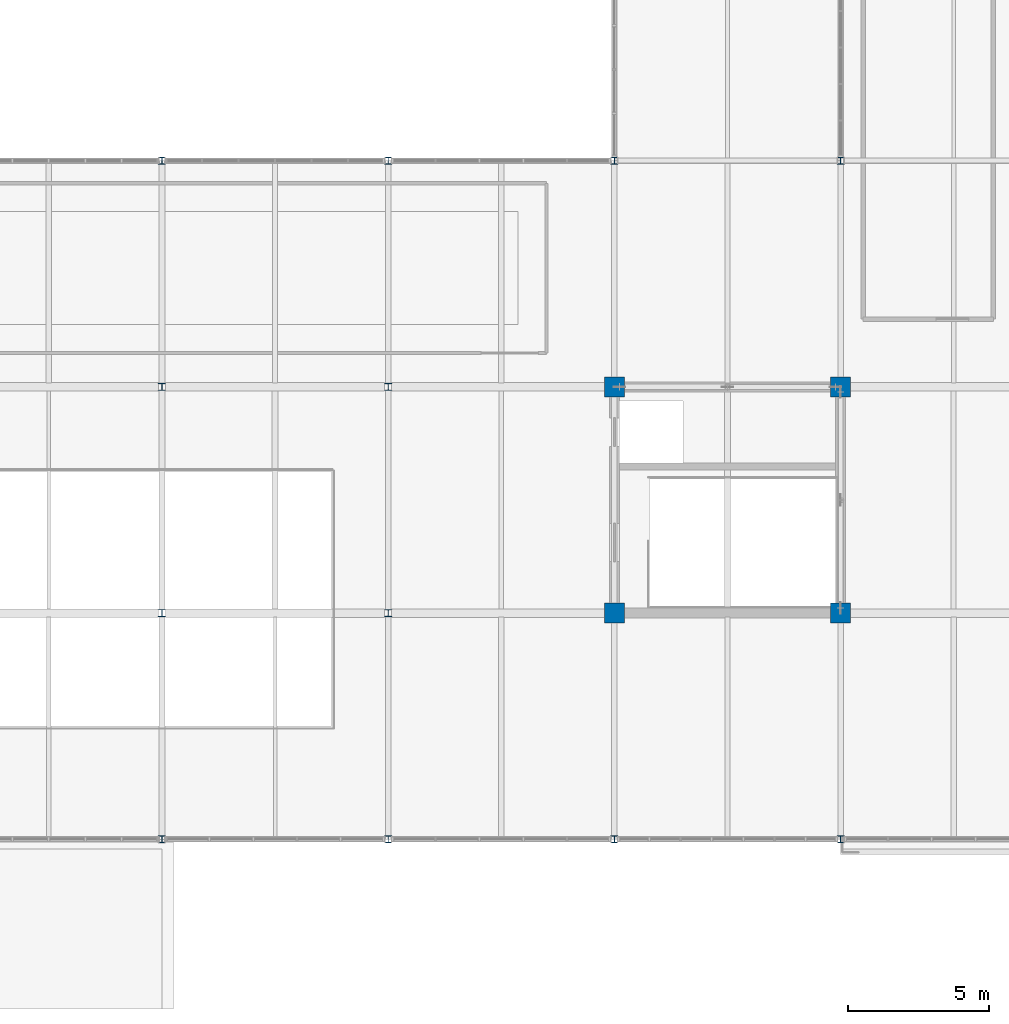
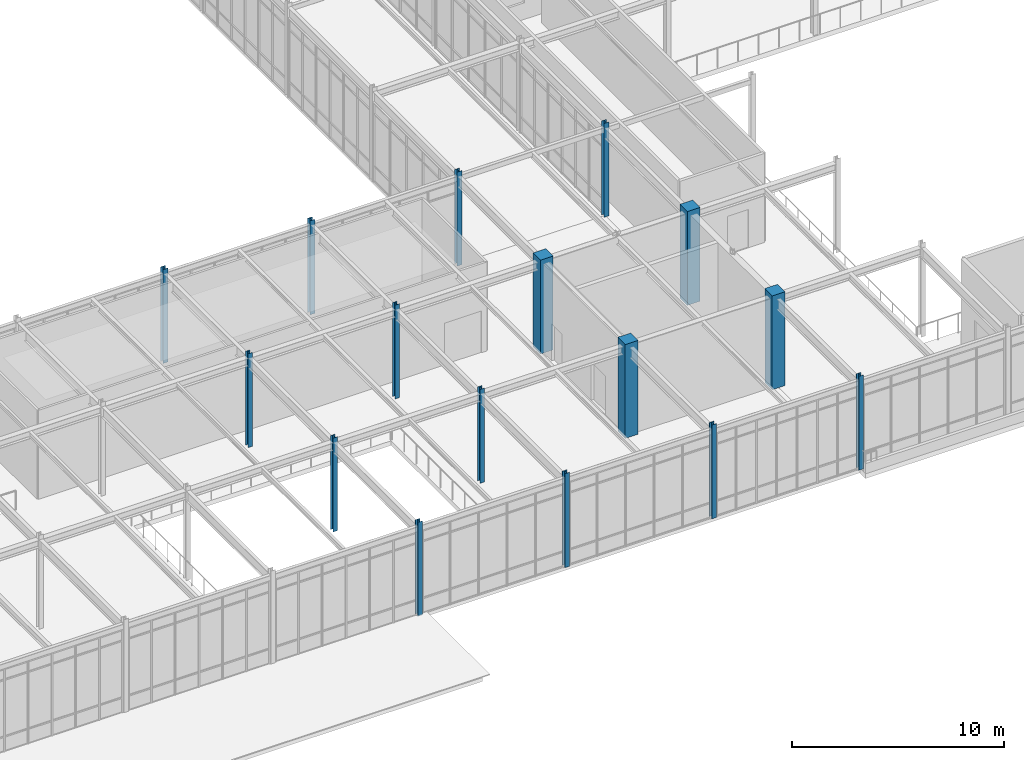
# One storey, part 9 of 184: 16 columns.
"""IFC4 building model written with IfcOpenShell, lengths in metres."""

import ifcopenshell
import ifcopenshell.guid

model = None  # the IFC model being written
_history = None  # IfcOwnerHistory: only IFC2X3 demands one
_inside = {}  # id of a spatial element -> (the spatial element, [elements in it])
_under = {}  # id of a project, library or spatial element -> (it, [spatial elements below it])
_declared = {}  # id of a project -> (the project, [libraries it declares])
_typed = {}  # id of a type object -> (the type object, [elements of that type])
_made_of = {}  # id of a material, layer set ... -> (it, [elements and type objects made of it])


def new_model(schema):
    """Start an empty IFC model of exactly this schema.

    Asked for "IFC4X3", IfcOpenShell would pick the latest addendum, in which some entities
    have other attributes; the version numbers below select the first issue.
    IFC2X3 requires an IfcOwnerHistory on every rooted entity: one is made here for all.
    """
    global model, _history
    if schema == "IFC4X3":
        model = ifcopenshell.file(schema_version=(4, 3, 0, 0))
    else:
        model = ifcopenshell.file(schema=schema)
    _inside.clear()
    _under.clear()
    _declared.clear()
    _typed.clear()
    _made_of.clear()
    _history = None
    if model.schema == "IFC2X3":
        org = make("IfcOrganization", Name="unknown")
        user = make(
            "IfcPersonAndOrganization",
            ThePerson=make("IfcPerson", FamilyName="unknown"),
            TheOrganization=org,
        )
        app = make(
            "IfcApplication",
            ApplicationDeveloper=org,
            Version="unknown",
            ApplicationFullName="unknown",
            ApplicationIdentifier="unknown",
        )
        _history = make(
            "IfcOwnerHistory",
            OwningUser=user,
            OwningApplication=app,
            ChangeAction="ADDED",
            CreationDate=0,
        )
    return model


def make(cls, **values):
    """One entity of the class cls with the attributes given. An attribute that is None is left unset."""
    return model.create_entity(
        cls, **{name: value for name, value in values.items() if value is not None}
    )


def rooted(cls, **values):
    """An entity with a GlobalId (a new one), such as an element, a storey or a relation."""
    return make(cls, GlobalId=ifcopenshell.guid.new(), OwnerHistory=_history, **values)


def si_unit(unit_type, name, prefix=None):
    """IfcSIUnit, for example si_unit("LENGTHUNIT", "METRE", prefix="MILLI")."""
    return make("IfcSIUnit", UnitType=unit_type, Prefix=prefix, Name=name)


def assignment(units):
    """IfcUnitAssignment: the units of a project."""
    return None if units is None else make("IfcUnitAssignment", Units=units)


def point(xyz):
    """IfcCartesianPoint."""
    return None if xyz is None else make("IfcCartesianPoint", Coordinates=xyz)


def direction(xyz):
    """IfcDirection."""
    return None if xyz is None else make("IfcDirection", DirectionRatios=xyz)


def frame(location, z_axis=None, x_axis=None):
    """IfcAxis2Placement3D, a coordinate frame: its origin and axes. An axis left out is left unset."""
    return make(
        "IfcAxis2Placement3D",
        Location=point(location),
        Axis=direction(z_axis),
        RefDirection=direction(x_axis),
    )


def frame_2d(location, x_axis=None):
    """IfcAxis2Placement2D, a coordinate frame in the plane: its origin and x axis."""
    return make(
        "IfcAxis2Placement2D", Location=point(location), RefDirection=direction(x_axis)
    )


def origin():
    """The frame at (0, 0, 0) with its axes left unset."""
    return frame((0.0, 0.0, 0.0))


def origin_2d():
    """The frame at (0, 0) in the plane with its x axis left unset."""
    return frame_2d((0.0, 0.0))


def place(relative_to, where):
    """IfcLocalPlacement: puts the frame where relative to a parent placement (None: the world)."""
    return make(
        "IfcLocalPlacement", PlacementRelTo=relative_to, RelativePlacement=where
    )


def context(
    kind, dimensions, precision=None, world=None, true_north=None, identifier=None
):
    """IfcGeometricRepresentationContext, for example the 3D "Model" context."""
    return make(
        "IfcGeometricRepresentationContext",
        ContextIdentifier=identifier,
        ContextType=kind,
        CoordinateSpaceDimension=dimensions,
        Precision=precision,
        WorldCoordinateSystem=world,
        TrueNorth=true_north,
    )


def subcontext(parent, identifier, kind, view, scale=None):
    """IfcGeometricRepresentationSubContext, for example "Body" below "Model"."""
    return make(
        "IfcGeometricRepresentationSubContext",
        ContextIdentifier=identifier,
        ContextType=kind,
        ParentContext=parent,
        TargetScale=scale,
        TargetView=view,
    )


def project(units=None, contexts=None):
    """IfcProject with its units and contexts."""
    return rooted(
        "IfcProject",
        Name="project",
        RepresentationContexts=contexts,
        UnitsInContext=assignment(units),
    )


def spatial(cls, under=None, at=None, **own):
    """A site, building, storey or space (cls), placed at a placement, below another one or the project."""
    s = rooted(cls, ObjectPlacement=at, **own)
    if under is not None:
        _under.setdefault(under.id(), (under, []))[1].append(s)
    return s


def profile(cls, at=None, kind="AREA", **sizes):
    """A parametric profile (cls). Its sizes go by their IFC names, for example OverallWidth=200.0."""
    return make(cls, ProfileType=kind, Position=at, **sizes)


def rectangle(**sizes):
    """IfcRectangleProfileDef."""
    return profile("IfcRectangleProfileDef", **sizes)


def i_section(**sizes):
    """IfcIShapeProfileDef."""
    return profile("IfcIShapeProfileDef", **sizes)


def extrude(swept, where, along, depth):
    """IfcExtrudedAreaSolid: the profile swept, set in the frame where, extruded along a direction by depth."""
    return make(
        "IfcExtrudedAreaSolid",
        SweptArea=swept,
        Position=where,
        ExtrudedDirection=direction(along),
        Depth=depth,
    )


def shape(context_of_items, identifier, shape_type, items):
    """IfcShapeRepresentation: the items that make up one representation, for example the "Body"."""
    return make(
        "IfcShapeRepresentation",
        ContextOfItems=context_of_items,
        RepresentationIdentifier=identifier,
        RepresentationType=shape_type,
        Items=items,
    )


def material(Name=None, Category=None):
    """IfcMaterial."""
    return make("IfcMaterial", Name=Name, Category=Category)


def material_profile(
    of_material, cross_section, Name=None, Category=None, Priority=None
):
    """IfcMaterialProfile: a cross section and its material."""
    return make(
        "IfcMaterialProfile",
        Name=Name,
        Material=of_material,
        Profile=cross_section,
        Priority=Priority,
        Category=Category,
    )


def profile_set(profiles, Name=None, composite=None):
    """IfcMaterialProfileSet."""
    return make(
        "IfcMaterialProfileSet",
        Name=Name,
        MaterialProfiles=profiles,
        CompositeProfile=composite,
    )


def made_of(thing, what):
    """Note that an element or type object is made of a material, layer set ...; save() writes the relation."""
    if what is not None:
        _made_of.setdefault(what.id(), (what, []))[1].append(thing)
    return thing


def type_object(cls, material=None, **own):
    """A type object (cls), such as IfcWallType, which elements share."""
    return made_of(rooted(cls, **own), material)


def element(
    cls,
    number,
    at=None,
    inside=None,
    cuts=None,
    type_object=None,
    material=None,
    context=None,
    identifier="Body",
    shape_type=None,
    held_by="IfcProductDefinitionShape",
    body=None,
    shapes=None,
    **own,
):
    """One element of the class cls, such as IfcWall. Its Tag is "e" and its number.

    at: its placement. inside: the storey or other place that contains it. cuts: it is an
    opening in that element (IfcRelVoidsElement). A single representation is given by context,
    identifier, shape_type and body (its items); several are given by shapes. held_by: the class
    of the entity that holds the representations. save() writes the other relations.
    """
    e = rooted(cls, Tag="e%d" % number, ObjectPlacement=at, **own)
    if body is not None:
        shapes = [shape(context, identifier, shape_type, body)]
    if shapes is not None:
        e.Representation = make(held_by, Representations=shapes)
    if inside is not None:
        _inside.setdefault(inside.id(), (inside, []))[1].append(e)
    if cuts is not None:
        rooted(
            "IfcRelVoidsElement", RelatingBuildingElement=cuts, RelatedOpeningElement=e
        )
    if type_object is not None:
        _typed.setdefault(type_object.id(), (type_object, []))[1].append(e)
    return made_of(e, material)


def aggregate(whole, parts):
    """IfcRelAggregates: a whole, such as a stair, and the parts it consists of."""
    return rooted("IfcRelAggregates", RelatingObject=whole, RelatedObjects=parts)


def save(model, path):
    """Write the relations noted so far, then the file.

    IfcRelAggregates (storeys below a building ...), IfcRelContainedInSpatialStructure (elements
    in a storey), IfcRelDefinesByType, IfcRelAssociatesMaterial and IfcRelDeclares: one each for
    every whole, place, type object, material and project.
    """
    for whole, parts in _under.values():
        aggregate(whole, parts)
    for where, things in _inside.values():
        rooted(
            "IfcRelContainedInSpatialStructure",
            RelatedElements=things,
            RelatingStructure=where,
        )
    for kind, things in _typed.values():
        rooted("IfcRelDefinesByType", RelatedObjects=things, RelatingType=kind)
    for what, things in _made_of.values():
        rooted("IfcRelAssociatesMaterial", RelatedObjects=things, RelatingMaterial=what)
    for by, libraries in _declared.values():
        rooted("IfcRelDeclares", RelatingContext=by, RelatedDefinitions=libraries)
    model.write(path)


model = new_model("IFC4")

# Units and contexts
model_context = context("Model", 3, precision=1e-05, world=origin(), true_north=direction((0.0, 1.0)))
body_context = subcontext(model_context, "Body", "Model", "MODEL_VIEW")
ifc_project = project(units=[si_unit("LENGTHUNIT", "METRE"), si_unit("AREAUNIT", "SQUARE_METRE"), si_unit("VOLUMEUNIT", "CUBIC_METRE"), si_unit("PLANEANGLEUNIT", "RADIAN"), si_unit("MASSUNIT", "GRAM", prefix="KILO")], contexts=[model_context])

# Site, building, storey
site_placement = place(None, origin())
site = spatial("IfcSite", under=ifc_project, at=site_placement, CompositionType="ELEMENT")
building_placement = place(site_placement, origin())
building = spatial("IfcBuilding", under=site, at=building_placement, Name="Zhaolan Boulevard Law Courts", CompositionType="ELEMENT")
storey_placement = place(building_placement, frame((0.0, 0.0, 5.39990234375)))
storey = spatial("IfcBuildingStorey", under=building, at=storey_placement, Name="L01", CompositionType="ELEMENT", Elevation=5.39990234375)

# Columns
ifc_material_1 = material(Name="Structural steel Q355B", Category="steel")
ifc_material_profile_1 = material_profile(ifc_material_1, i_section(OverallWidth=0.25, OverallDepth=0.25, WebThickness=0.009033203125, FlangeThickness=0.013916015625, FilletRadius=0.01611328125, at=origin_2d()), Name="HW250x250")
ifc_profile_set_1 = profile_set([ifc_material_profile_1], Name="Structural steel Q355B")
column_type_1 = type_object("IfcColumnType", Name="COL HW250", PredefinedType="COLUMN", material=ifc_profile_set_1)
for number, where, z_axis, x_axis, name in (
    (1, (100.0, 6.0, 0.0), (0.0, 0.0, 1.0), (1.0, 0.0, 0.0), "Column C-13B (L01)"),
    (2, (100.0, 14.0, 0.0), (0.0, 0.0, 1.0), (1.0, 0.0, 0.0), "Column C-13C (L01)"),
    (3, (100.0, 22.0, 0.0), (0.0, 0.0, 1.0), (1.0, 0.0, 0.0), "Column C-13D (L01)"),
    (4, (100.0, 30.0, 0.0), (0.0, 0.0, 1.0), (1.0, 0.0, 0.0), "Column C-13E (L01)"),
    (5, (108.0, 6.0, 0.0), (0.0, 0.0, 1.0), (1.0, 0.0, 0.0), "Column C-14B (L01)"),
    (6, (108.0, 14.0, 0.0), (0.0, 0.0, 1.0), (1.0, 0.0, 0.0), "Column C-14C (L01)"),
    (7, (108.0, 22.0, 0.0), (0.0, 0.0, 1.0), (1.0, 0.0, 0.0), "Column C-14D (L01)"),
    (8, (108.0, 30.0, 0.0), (0.0, 0.0, 1.0), (1.0, 0.0, 0.0), "Column C-14E (L01)"),
    (9, (116.0, 6.0, 0.0), (0.0, 0.0, 1.0), (1.0, 0.0, 0.0), "Column C-15B (L01)"),
    (10, (116.0, 30.0, 0.0), (0.0, 0.0, 1.0), (1.0, 0.0, 0.0), "Column C-15E (L01)"),
    (11, (124.0, 6.0, 0.0), (0.0, 0.0, 1.0), (1.0, 0.0, 0.0), "Column C-16B (L01)"),
    (12, (124.0, 30.0, 0.0), (0.0, 0.0, 1.0), (1.0, 0.0, 0.0), "Column C-16E (L01)"),
):
    element("IfcColumn", number, at=place(storey_placement, frame(where, z_axis=z_axis, x_axis=x_axis)), inside=storey, type_object=column_type_1, Name=name, PredefinedType="COLUMN", context=body_context, shape_type="SweptSolid", body=[
        extrude(i_section(OverallWidth=0.25, OverallDepth=0.25, WebThickness=0.009033203125, FlangeThickness=0.013916015625, FilletRadius=0.01611328125, at=origin_2d()), origin(), (0.0, 0.0, 1.0), 5.400146484375),
    ])
ifc_material_2 = material(Name="Concrete C50", Category="concrete")
ifc_material_profile_2 = material_profile(ifc_material_2, rectangle(XDim=0.699951171875, YDim=0.699951171875, at=origin_2d()), Name="RC700x700")
ifc_profile_set_2 = profile_set([ifc_material_profile_2], Name="Concrete C50")
column_type_2 = type_object("IfcColumnType", Name="COL RC700", PredefinedType="COLUMN", material=ifc_profile_set_2)
for number, where, z_axis, x_axis, name in (
    (13, (116.0, 14.0, 0.0), (0.0, 0.0, 1.0), (1.0, 0.0, 0.0), "Column C-15C (L01)"),
    (14, (116.0, 22.0, 0.0), (0.0, 0.0, 1.0), (1.0, 0.0, 0.0), "Column C-15D (L01)"),
    (15, (124.0, 14.0, 0.0), (0.0, 0.0, 1.0), (1.0, 0.0, 0.0), "Column C-16C (L01)"),
    (16, (124.0, 22.0, 0.0), (0.0, 0.0, 1.0), (1.0, 0.0, 0.0), "Column C-16D (L01)"),
):
    element("IfcColumn", number, at=place(storey_placement, frame(where, z_axis=z_axis, x_axis=x_axis)), inside=storey, type_object=column_type_2, Name=name, PredefinedType="COLUMN", context=body_context, shape_type="SweptSolid", body=[
        extrude(rectangle(XDim=0.699951171875, YDim=0.699951171875, at=origin_2d()), origin(), (0.0, 0.0, 1.0), 5.400146484375),
    ])

save(model, "model.ifc")
